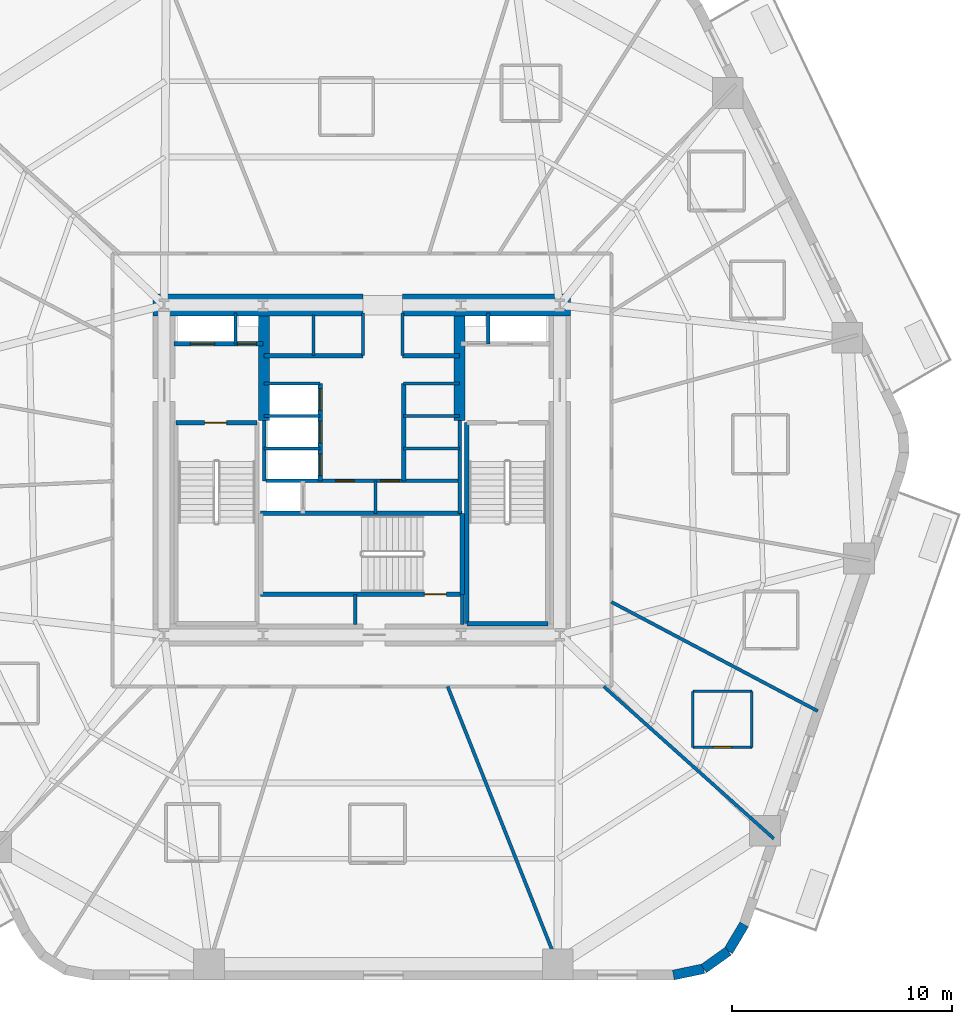
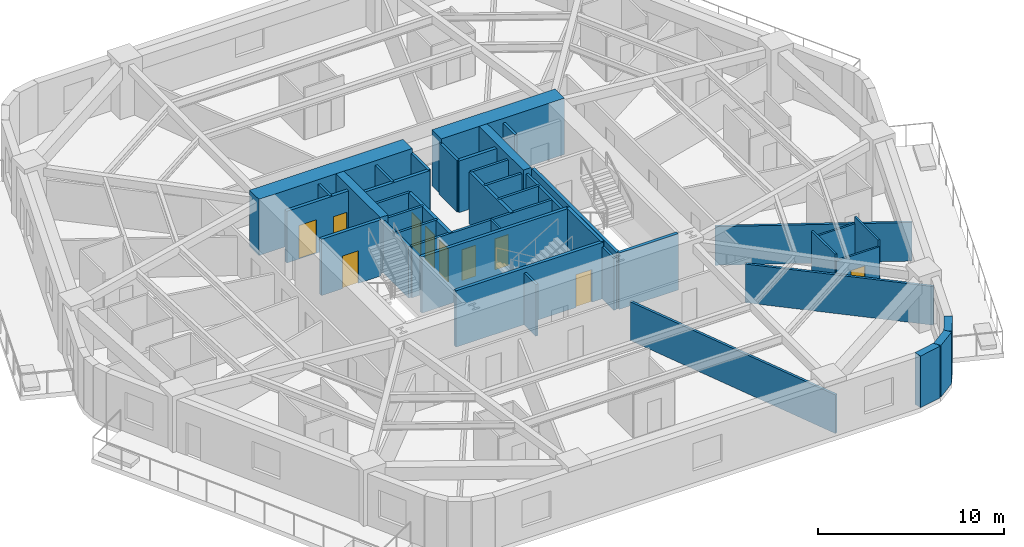
# One storey, part 4 of 10: 42 walls, 10 doors, 10 openings.
"""IFC4 building model written with IfcOpenShell, lengths in metres."""

from ifc_helpers import new_model, si_unit, direction, frame, frame_2d, origin, place, context, subcontext, project, spatial, rectangle, extrude, material, layer, layer_set, type_object, element, fill, save


model = new_model("IFC4")

# Units and contexts
model_context = context("Model", 3, precision=1e-05, world=origin(), true_north=direction((0.0, 1.0)))
body_context = subcontext(model_context, "Body", "Model", "MODEL_VIEW")
ifc_project = project(units=[si_unit("LENGTHUNIT", "METRE"), si_unit("AREAUNIT", "SQUARE_METRE"), si_unit("VOLUMEUNIT", "CUBIC_METRE"), si_unit("PLANEANGLEUNIT", "RADIAN"), si_unit("MASSUNIT", "GRAM", prefix="KILO")], contexts=[model_context])

# Site, building, storey
site_placement = place(None, origin())
site = spatial("IfcSite", under=ifc_project, at=site_placement, CompositionType="ELEMENT")
building_placement = place(site_placement, origin())
building = spatial("IfcBuilding", under=site, at=building_placement, Name="Kilnhurst Terrace Hotel", CompositionType="ELEMENT")
storey_placement = place(building_placement, frame((0.0, 0.0, 78.60009765625)))
storey = spatial("IfcBuildingStorey", under=building, at=storey_placement, Name="L18", CompositionType="ELEMENT", Elevation=78.60009765625)

# Walls
ifc_material_1 = material(Name="Precast concrete C40/50", Category="concrete")
ifc_layer_1 = layer(ifc_material_1, 0.449951171875, Name="Precast concrete C40/50")
ifc_layer_set_1 = layer_set([ifc_layer_1], Name="Precast concrete C40/50")
wall_type_1 = type_object("IfcWallType", Name="WL-BRK-450", PredefinedType="SOLIDWALL", material=ifc_layer_set_1)
wall_1_placement = place(storey_placement, frame((14.168212890625, -22.97509765625, 0.0), z_axis=(0.0, 0.0, 1.0), x_axis=(0.978770371074, 0.204959900243, 0.0)))
element("IfcWall", 1, at=wall_1_placement, inside=storey, type_object=wall_type_1, Name="L18 Rounded Corner Brick Wall C2.1", PredefinedType="SOLIDWALL", context=body_context, shape_type="SweptSolid", body=[
    extrude(rectangle(XDim=1.405517578125, YDim=0.449951171875, at=frame_2d((0.70263671875, 0.0))), origin(), (0.0, 0.0, 1.0), 3.39990234375),
])
wall_2_placement = place(storey_placement, frame((15.5439453125, -22.68701171875, 0.0), z_axis=(0.0, 0.0, 1.0), x_axis=(0.814210854316, 0.580569276412, 0.0)))
element("IfcWall", 2, at=wall_2_placement, inside=storey, type_object=wall_type_1, Name="L18 Rounded Corner Brick Wall C2.2", PredefinedType="SOLIDWALL", context=body_context, shape_type="SweptSolid", body=[
    extrude(rectangle(XDim=1.38134765625, YDim=0.449951171875, at=frame_2d((0.690673828125, 0.0))), origin(), (0.0, 0.0, 1.0), 3.39990234375),
])
wall_3_placement = place(storey_placement, frame((16.668701171875, -21.885009765625, 0.0), z_axis=(0.0, 0.0, 1.0), x_axis=(0.512936712947, 0.858426425799, 0.0)))
element("IfcWall", 3, at=wall_3_placement, inside=storey, type_object=wall_type_1, Name="L18 Rounded Corner Brick Wall C2.3", PredefinedType="SOLIDWALL", context=body_context, shape_type="SweptSolid", body=[
    extrude(rectangle(XDim=1.405517578125, YDim=0.449951171875, at=frame_2d((0.70263671875, 0.0))), origin(), (0.0, 0.0, 1.0), 3.39990234375),
])
ifc_material_2 = material(Name="Concrete C80/95", Category="concrete")
ifc_layer_2 = layer(ifc_material_2, 1.0, Name="Concrete C80/95")
ifc_layer_set_2 = layer_set([ifc_layer_2], Name="Concrete C80/95")
wall_type_2 = type_object("IfcWallType", Name="WL-CORE-1000", PredefinedType="SHEAR", material=ifc_layer_set_2)
wall_4_placement = place(storey_placement, frame((-9.5, 7.5, 0.0), z_axis=(0.0, 0.0, 1.0), x_axis=(1.0, 0.0, 0.0)))
element("IfcWall", 4, at=wall_4_placement, inside=storey, type_object=wall_type_2, Name="L18 Core North West Shear Wall", PredefinedType="SHEAR", context=body_context, shape_type="SweptSolid", body=[
    extrude(rectangle(XDim=9.550048828125, YDim=1.0, at=frame_2d((4.77490234375, 0.0))), origin(), (0.0, 0.0, 1.0), 3.699951171875),
])
wall_5_placement = place(storey_placement, frame((1.85009765625, 7.5, 0.0), z_axis=(0.0, 0.0, 1.0), x_axis=(1.0, 0.0, 0.0)))
element("IfcWall", 5, at=wall_5_placement, inside=storey, type_object=wall_type_2, Name="L18 Core North East Shear Wall", PredefinedType="SHEAR", context=body_context, shape_type="SweptSolid", body=[
    extrude(rectangle(XDim=7.64990234375, YDim=1.0, at=frame_2d((3.824951171875, 0.0))), origin(), (0.0, 0.0, 1.0), 3.699951171875),
])
ifc_material_3 = material(Name="Concrete C60/75", Category="concrete")
ifc_layer_3 = layer(ifc_material_3, 0.5, Name="Concrete C60/75")
ifc_layer_set_3 = layer_set([ifc_layer_3], Name="Concrete C60/75")
wall_type_3 = type_object("IfcWallType", Name="WL-CORE-WEB-500", PredefinedType="SHEAR", material=ifc_layer_set_3)
for number, where, z_axis, x_axis, name in (
    (6, (-4.449951171875, 2.25, 0.0), (0.0, 0.0, 1.0), (0.0, 1.0, 0.0), "L18 Core Internal West Shear Web"),
    (7, (4.449951171875, 2.25, 0.0), (0.0, 0.0, 1.0), (0.0, 1.0, 0.0), "L18 Core Internal East Shear Web"),
):
    element("IfcWall", number, at=place(storey_placement, frame(where, z_axis=z_axis, x_axis=x_axis)), inside=storey, type_object=wall_type_3, Name=name, PredefinedType="SHEAR", context=body_context, shape_type="SweptSolid", body=[
        extrude(rectangle(XDim=4.75, YDim=0.5, at=frame_2d((2.375, 0.0))), origin(), (0.0, 0.0, 1.0), 3.699951171875),
    ])
ifc_material_4 = material(Name="STC-58 Acoustic Twin-Frame Guestroom Demising Partition")
ifc_layer_4 = layer(ifc_material_4, 0.14990234375, Name="STC-58 Acoustic Twin-Frame Guestroom Demising Partition")
ifc_layer_set_4 = layer_set([ifc_layer_4], Name="STC-58 Acoustic Twin-Frame Guestroom Demising Partition")
wall_type_4 = type_object("IfcWallType", Name="WL-DEM-150", PredefinedType="PARTITIONING", material=ifc_layer_set_4)
wall_6_placement = place(storey_placement, frame((3.90185546875, -9.85009765625, 0.0), z_axis=(0.0, 0.0, 1.0), x_axis=(0.36828765711, -0.929711891728, 0.0)))
element("IfcWall", 8, at=wall_6_placement, inside=storey, type_object=wall_type_4, Name="L18 Interior Wall WL-L18-DEM-COL10-15-1", PredefinedType="PARTITIONING", context=body_context, shape_type="SweptSolid", body=[
    extrude(rectangle(XDim=14.1171875, YDim=0.14990234375, at=frame_2d((7.05859375, 0.0))), origin(), (0.0, 0.0, 1.0), 2.539794921875),
])
wall_7_placement = place(storey_placement, frame((11.006591796875, -9.85009765625, 0.0), z_axis=(0.0, 0.0, 1.0), x_axis=(0.745177305978, -0.666866390407, 0.0)))
element("IfcWall", 9, at=wall_7_placement, inside=storey, type_object=wall_type_4, Name="L18 Interior Wall WL-L18-DEM-COL11-16-1", PredefinedType="PARTITIONING", context=body_context, shape_type="SweptSolid", body=[
    extrude(rectangle(XDim=10.375244140625, YDim=0.14990234375, at=frame_2d((5.1875, 0.0))), origin(), (0.0, 0.0, 1.0), 2.539794921875),
])
wall_8_placement = place(storey_placement, frame((11.35009765625, -6.00146484375, 0.0), z_axis=(0.0, 0.0, 1.0), x_axis=(0.884022077319, -0.467445148453, 0.0)))
element("IfcWall", 10, at=wall_8_placement, inside=storey, type_object=wall_type_4, Name="L18 Interior Wall WL-L18-DEM-MID11-17-1", PredefinedType="PARTITIONING", context=body_context, shape_type="SweptSolid", body=[
    extrude(rectangle(XDim=10.621337890625, YDim=0.14990234375, at=frame_2d((5.310546875, 0.0))), origin(), (0.0, 0.0, 1.0), 2.539794921875),
])
ifc_material_5 = material(Name="120 mm Moisture-Resistant Tile-Backed Bathroom Partition")
ifc_layer_5 = layer(ifc_material_5, 0.1201171875, Name="120 mm Moisture-Resistant Tile-Backed Bathroom Partition")
ifc_layer_set_5 = layer_set([ifc_layer_5], Name="120 mm Moisture-Resistant Tile-Backed Bathroom Partition")
wall_type_5 = type_object("IfcWallType", Name="WL-PART-120", PredefinedType="PARTITIONING", material=ifc_layer_set_5)
wall_9_placement = place(storey_placement, frame((0.6201171875, -1.971923828125, 0.0), z_axis=(0.0, 0.0, 1.0), x_axis=(0.0, 1.0, 0.0)))
element("IfcWall", 11, at=wall_9_placement, inside=storey, type_object=wall_type_5, Name="L18 Interior Wall WL-L18-BOH-C1", PredefinedType="PARTITIONING", context=body_context, shape_type="SweptSolid", body=[
    extrude(rectangle(XDim=1.471923828125, YDim=0.1201171875, at=frame_2d((0.73583984375, 0.0))), origin(), (0.0, 0.0, 1.0), 3.39990234375),
])

# Wall, opening, door
wall_10_placement = place(storey_placement, frame((15.05810546875, -12.612060546875, 0.0), z_axis=(0.0, 0.0, 1.0), x_axis=(1.0, 0.0, 0.0)))
wall_10 = element("IfcWall", 12, at=wall_10_placement, inside=storey, type_object=wall_type_5, Name="L18 Interior Wall WL-L18-BTH-16-1", PredefinedType="PARTITIONING", context=body_context, shape_type="SweptSolid", body=[
    extrude(rectangle(XDim=2.679931640625, YDim=0.1201171875, at=frame_2d((1.33984375, 0.0))), origin(), (0.0, 0.0, 1.0), 2.97216796875),
])
opening_1_placement = place(wall_10_placement, frame((0.9150390625, 0.0, 0.0)))
opening_1 = element("IfcOpeningElement", 13, at=opening_1_placement, cuts=wall_10, Name="Opening D-08A", PredefinedType="OPENING", context=body_context, shape_type="SweptSolid", body=[
    extrude(rectangle(XDim=0.85009765625, YDim=2.030029296875, at=frame_2d((0.425048828125, 1.01513671875))), frame((0.0, 0.070068359375, 0.0), z_axis=(0.0, -1.0, 0.0), x_axis=(1.0, 0.0, 0.0)), (0.0, 0.0, 1.0), 0.14013671875),
])
ifc_material_6 = material(Name="Moisture-Resistant Lacquered En-suite Bathroom Door")
door_type_1 = type_object("IfcDoorType", Name="DR-INT-850", OperationType="NOTDEFINED", PredefinedType="DOOR", material=ifc_material_6)
door_1_placement = place(opening_1_placement, origin())
door_1 = element("IfcDoor", 14, at=door_1_placement, inside=storey, type_object=door_type_1, Name="L18 En-suite Bathroom Door 16", OperationType="SINGLE_SWING_LEFT", OverallHeight=2.030029296875, OverallWidth=0.85009765625, PredefinedType="DOOR", context=body_context, shape_type="SweptSolid", body=[
    extrude(rectangle(XDim=0.85009765625, YDim=2.030029296875, at=frame_2d((0.425048828125, 1.01513671875))), frame((0.0, 0.02490234375, 0.0), z_axis=(0.0, -1.0, 0.0), x_axis=(1.0, 0.0, 0.0)), (0.0, 0.0, 1.0), 0.050048828125),
])
fill(opening_1, door_1)

# Walls
wall_11_placement = place(storey_placement, frame((17.738037109375, -12.612060546875, 0.0), z_axis=(0.0, 0.0, 1.0), x_axis=(0.0, 1.0, 0.0)))
element("IfcWall", 15, at=wall_11_placement, inside=storey, type_object=wall_type_5, Name="L18 Interior Wall WL-L18-BTH-16-2", PredefinedType="PARTITIONING", context=body_context, shape_type="SweptSolid", body=[
    extrude(rectangle(XDim=2.5400390625, YDim=0.1201171875, at=frame_2d((1.27001953125, 0.0))), origin(), (0.0, 0.0, 1.0), 3.39990234375),
])
wall_12_placement = place(storey_placement, frame((17.738037109375, -10.072021484375, 0.0), z_axis=(0.0, 0.0, 1.0), x_axis=(-1.0, 0.0, 0.0)))
element("IfcWall", 16, at=wall_12_placement, inside=storey, type_object=wall_type_5, Name="L18 Interior Wall WL-L18-BTH-16-3", PredefinedType="PARTITIONING", context=body_context, shape_type="SweptSolid", body=[
    extrude(rectangle(XDim=2.679931640625, YDim=0.1201171875, at=frame_2d((1.33984375, 0.0))), origin(), (0.0, 0.0, 1.0), 2.97216796875),
])
wall_13_placement = place(storey_placement, frame((15.05810546875, -10.072021484375, 0.0), z_axis=(0.0, 0.0, 1.0), x_axis=(0.0, -1.0, 0.0)))
element("IfcWall", 17, at=wall_13_placement, inside=storey, type_object=wall_type_5, Name="L18 Interior Wall WL-L18-BTH-16-4", PredefinedType="PARTITIONING", context=body_context, shape_type="SweptSolid", body=[
    extrude(rectangle(XDim=2.5400390625, YDim=0.1201171875, at=frame_2d((1.27001953125, 0.0))), origin(), (0.0, 0.0, 1.0), 3.39990234375),
])
ifc_material_7 = material(Name="Fire-Rated Gypsum Shaftliner Assembly")
ifc_layer_6 = layer(ifc_material_7, 0.14990234375, Name="Fire-Rated Gypsum Shaftliner Assembly")
ifc_layer_set_6 = layer_set([ifc_layer_6], Name="Fire-Rated Gypsum Shaftliner Assembly")
wall_type_6 = type_object("IfcWallType", Name="WL-SHAFT-150", PredefinedType="PARTITIONING", material=ifc_layer_set_6)
for number, where, z_axis, x_axis, name in (
    (18, (-0.300048828125, -7.02001953125, 0.0), (0.0, 0.0, 1.0), (0.0, 1.0, 0.0), "L18 Interior Wall WL-L18-ST3-PSGW"),
    (19, (4.55810546875, -7.02001953125, 0.0), (0.0, 0.0, 1.0), (0.0, 1.0, 0.0), "L18 Interior Wall WL-L18-ST3-PSGE"),
):
    element("IfcWall", number, at=place(storey_placement, frame(where, z_axis=z_axis, x_axis=x_axis)), inside=storey, type_object=wall_type_6, Name=name, PredefinedType="PARTITIONING", context=body_context, shape_type="SweptSolid", body=[
        extrude(rectangle(XDim=1.362060546875, YDim=0.14990234375, at=frame_2d((0.68115234375, 0.0))), origin(), (0.0, 0.0, 1.0), 3.39990234375),
    ])
for number, where, z_axis, x_axis, name in (
    (20, (-5.75, 5.739990234375, 0.0), (0.0, 0.0, 1.0), (0.0, 1.0, 0.0), "L18 Interior Wall WL-L18-RIS1-DIV"),
    (21, (5.75, 5.739990234375, 0.0), (0.0, 0.0, 1.0), (0.0, 1.0, 0.0), "L18 Interior Wall WL-L18-RIS2-DIV"),
):
    element("IfcWall", number, at=place(storey_placement, frame(where, z_axis=z_axis, x_axis=x_axis)), inside=storey, type_object=wall_type_6, Name=name, PredefinedType="PARTITIONING", context=body_context, shape_type="SweptSolid", body=[
        extrude(rectangle(XDim=1.409912109375, YDim=0.14990234375, at=frame_2d((0.705078125, 0.0))), origin(), (0.0, 0.0, 1.0), 3.39990234375),
    ])
wall_14_placement = place(storey_placement, frame((-2.199951171875, 5.199951171875, 0.0), z_axis=(0.0, 0.0, 1.0), x_axis=(0.0, 1.0, 0.0)))
element("IfcWall", 22, at=wall_14_placement, inside=storey, type_object=wall_type_6, Name="L18 Interior Wall WL-L18-HR-DIV1", PredefinedType="PARTITIONING", context=body_context, shape_type="SweptSolid", body=[
    extrude(rectangle(XDim=1.85009765625, YDim=0.14990234375, at=frame_2d((0.925048828125, 0.0))), origin(), (0.0, 0.0, 1.0), 3.39990234375),
])
for number, where, z_axis, x_axis, name in (
    (23, (0.050048828125, 5.199951171875, 0.0), (0.0, 0.0, 1.0), (0.0, 1.0, 0.0), "L18 Interior Wall WL-L18-HR-PORTAL-W"),
    (24, (1.85009765625, 5.199951171875, 0.0), (0.0, 0.0, 1.0), (0.0, 1.0, 0.0), "L18 Interior Wall WL-L18-HR-PORTAL-E"),
):
    element("IfcWall", number, at=place(storey_placement, frame(where, z_axis=z_axis, x_axis=x_axis)), inside=storey, type_object=wall_type_6, Name=name, PredefinedType="PARTITIONING", context=body_context, shape_type="SweptSolid", body=[
        extrude(rectangle(XDim=1.949951171875, YDim=0.14990234375, at=frame_2d((0.97509765625, 0.0))), origin(), (0.0, 0.0, 1.0), 3.39990234375),
    ])
wall_15_placement = place(storey_placement, frame((-4.449951171875, -0.5, 0.0), z_axis=(0.0, 0.0, 1.0), x_axis=(0.0, 1.0, 0.0)))
element("IfcWall", 25, at=wall_15_placement, inside=storey, type_object=wall_type_6, Name="L18 Interior Wall WL-L18-XLOB-W", PredefinedType="PARTITIONING", context=body_context, shape_type="SweptSolid", body=[
    extrude(rectangle(XDim=2.75, YDim=0.14990234375, at=frame_2d((1.375, 0.0))), origin(), (0.0, 0.0, 1.0), 3.39990234375),
])
wall_16_placement = place(storey_placement, frame((4.449951171875, -1.971923828125, 0.0), z_axis=(0.0, 0.0, 1.0), x_axis=(0.0, 1.0, 0.0)))
element("IfcWall", 26, at=wall_16_placement, inside=storey, type_object=wall_type_6, Name="L18 Interior Wall WL-L18-XLOB-E", PredefinedType="PARTITIONING", context=body_context, shape_type="SweptSolid", body=[
    extrude(rectangle(XDim=4.221923828125, YDim=0.14990234375, at=frame_2d((2.11083984375, 0.0))), origin(), (0.0, 0.0, 1.0), 3.39990234375),
])
for number, where, z_axis, x_axis, name in (
    (27, (-4.449951171875, 3.93994140625, 0.0), (0.0, 0.0, 1.0), (1.0, 0.0, 0.0), "L18 Interior Wall WL-L18-LR-NORTH"),
    (28, (-4.449951171875, 0.97998046875, 0.0), (0.0, 0.0, 1.0), (1.0, 0.0, 0.0), "L18 Interior Wall WL-L18-LR-D1"),
    (29, (-4.449951171875, 2.4599609375, 0.0), (0.0, 0.0, 1.0), (1.0, 0.0, 0.0), "L18 Interior Wall WL-L18-LR-D2"),
    (30, (1.89990234375, 3.93994140625, 0.0), (0.0, 0.0, 1.0), (1.0, 0.0, 0.0), "L18 Interior Wall WL-L18-MR-NORTH"),
    (31, (1.89990234375, 0.97998046875, 0.0), (0.0, 0.0, 1.0), (1.0, 0.0, 0.0), "L18 Interior Wall WL-L18-MR-D1"),
    (32, (1.89990234375, 2.4599609375, 0.0), (0.0, 0.0, 1.0), (1.0, 0.0, 0.0), "L18 Interior Wall WL-L18-MR-D2"),
):
    element("IfcWall", number, at=place(storey_placement, frame(where, z_axis=z_axis, x_axis=x_axis)), inside=storey, type_object=wall_type_6, Name=name, PredefinedType="PARTITIONING", context=body_context, shape_type="SweptSolid", body=[
        extrude(rectangle(XDim=2.550048828125, YDim=0.14990234375, at=frame_2d((1.27490234375, 0.0))), origin(), (0.0, 0.0, 1.0), 3.39990234375),
    ])

# Wall, openings, doors
wall_17_placement = place(storey_placement, frame((-4.360107421875, -0.489990234375, 0.0), z_axis=(0.0, 0.0, 1.0), x_axis=(1.0, 0.0, 0.0)))
wall_17 = element("IfcWall", 33, at=wall_17_placement, inside=storey, type_object=wall_type_6, Name="L18 Interior Wall WL-L18-BOH-N", PredefinedType="PARTITIONING", context=body_context, shape_type="SweptSolid", body=[
    extrude(rectangle(XDim=8.72021484375, YDim=0.14990234375, at=frame_2d((4.360107421875, 0.0))), origin(), (0.0, 0.0, 1.0), 3.39990234375),
])
opening_2_placement = place(wall_17_placement, frame((3.159912109375, 0.0, 0.0)))
opening_2 = element("IfcOpeningElement", 34, at=opening_2_placement, cuts=wall_17, Name="Opening D-60D", PredefinedType="OPENING", context=body_context, shape_type="SweptSolid", body=[
    extrude(rectangle(XDim=0.85009765625, YDim=2.030029296875, at=frame_2d((0.425048828125, 1.01513671875))), frame((0.0, 0.0849609375, 0.0), z_axis=(0.0, -1.0, 0.0), x_axis=(1.0, 0.0, 0.0)), (0.0, 0.0, 1.0), 0.169921875),
])
opening_3_placement = place(wall_17_placement, frame((5.2099609375, 0.0, 0.0)))
opening_3 = element("IfcOpeningElement", 35, at=opening_3_placement, cuts=wall_17, Name="Opening D-60D", PredefinedType="OPENING", context=body_context, shape_type="SweptSolid", body=[
    extrude(rectangle(XDim=0.85009765625, YDim=2.030029296875, at=frame_2d((0.425048828125, 1.01513671875))), frame((0.0, 0.0849609375, 0.0), z_axis=(0.0, -1.0, 0.0), x_axis=(1.0, 0.0, 0.0)), (0.0, 0.0, 1.0), 0.169921875),
])
ifc_material_8 = material(Name="Painted Hollow Metal Steel ASTM A36 Riser Door", Category="steel")
door_type_2 = type_object("IfcDoorType", Name="DR-FD60-850", OperationType="NOTDEFINED", PredefinedType="DOOR", material=ifc_material_8)
door_2_placement = place(opening_2_placement, origin())
door_2 = element("IfcDoor", 36, at=door_2_placement, inside=storey, type_object=door_type_2, Name="L18 Housekeeping Laundry Door", OperationType="SINGLE_SWING_LEFT", OverallHeight=2.030029296875, OverallWidth=0.85009765625, PredefinedType="DOOR", context=body_context, shape_type="SweptSolid", body=[
    extrude(rectangle(XDim=0.85009765625, YDim=2.030029296875, at=frame_2d((0.425048828125, 1.01513671875))), frame((0.0, 0.02490234375, 0.0), z_axis=(0.0, -1.0, 0.0), x_axis=(1.0, 0.0, 0.0)), (0.0, 0.0, 1.0), 0.050048828125),
])
fill(opening_2, door_2)
door_3_placement = place(opening_3_placement, origin())
door_3 = element("IfcDoor", 37, at=door_3_placement, inside=storey, type_object=door_type_2, Name="L18 Room Service Kitchen Door", OperationType="SINGLE_SWING_RIGHT", OverallHeight=2.030029296875, OverallWidth=0.85009765625, PredefinedType="DOOR", context=body_context, shape_type="SweptSolid", body=[
    extrude(rectangle(XDim=0.85009765625, YDim=2.030029296875, at=frame_2d((0.425048828125, 1.01513671875))), frame((0.0, 0.02490234375, 0.0), z_axis=(0.0, -1.0, 0.0), x_axis=(1.0, 0.0, 0.0)), (0.0, 0.0, 1.0), 0.050048828125),
])
fill(opening_3, door_3)

ifc_material_9 = material(Name="Autoclaved Aerated Concrete C30/37 and Gypsum Shaft Assembly", Category="concrete")
ifc_layer_7 = layer(ifc_material_9, 0.199951171875, Name="Autoclaved Aerated Concrete C30/37 and Gypsum Shaft Assembly")
ifc_layer_set_7 = layer_set([ifc_layer_7], Name="Autoclaved Aerated Concrete C30/37 and Gypsum Shaft Assembly")
wall_type_7 = type_object("IfcWallType", Name="WL-SHAFT-200", PredefinedType="PARTITIONING", material=ifc_layer_set_7)
wall_18_placement = place(storey_placement, frame((-8.550048828125, 5.739990234375, 0.0), z_axis=(0.0, 0.0, 1.0), x_axis=(1.0, 0.0, 0.0)))
wall_18 = element("IfcWall", 38, at=wall_18_placement, inside=storey, type_object=wall_type_7, Name="L18 Interior Wall WL-L18-FSAE1-S", PredefinedType="PARTITIONING", context=body_context, shape_type="SweptSolid", body=[
    extrude(rectangle(XDim=4.050048828125, YDim=0.199951171875, at=frame_2d((2.02490234375, 0.0))), origin(), (0.0, 0.0, 1.0), 3.39990234375),
])
opening_4_placement = place(wall_18_placement, frame((0.75, 0.0, 0.0)))
opening_4 = element("IfcOpeningElement", 39, at=opening_4_placement, cuts=wall_18, Name="Opening LD-F1", PredefinedType="OPENING", context=body_context, shape_type="SweptSolid", body=[
    extrude(rectangle(XDim=1.10009765625, YDim=2.199951171875, at=frame_2d((0.550048828125, 1.10009765625))), frame((0.0, 0.10986328125, 0.0), z_axis=(0.0, -1.0, 0.0), x_axis=(1.0, 0.0, 0.0)), (0.0, 0.0, 1.0), 0.219970703125),
])
opening_5_placement = place(wall_18_placement, frame((2.89990234375, 0.0, 0.0)))
opening_5 = element("IfcOpeningElement", 40, at=opening_5_placement, cuts=wall_18, Name="Opening D-60D", PredefinedType="OPENING", context=body_context, shape_type="SweptSolid", body=[
    extrude(rectangle(XDim=0.85009765625, YDim=2.030029296875, at=frame_2d((0.425048828125, 1.01513671875))), frame((0.0, 0.10986328125, 0.0), z_axis=(0.0, -1.0, 0.0), x_axis=(1.0, 0.0, 0.0)), (0.0, 0.0, 1.0), 0.219970703125),
])
door_4_placement = place(opening_5_placement, origin())
door_4 = element("IfcDoor", 41, at=door_4_placement, inside=storey, type_object=door_type_2, Name="L18 Electrical Riser Door", OperationType="SINGLE_SWING_LEFT", OverallHeight=2.030029296875, OverallWidth=0.85009765625, PredefinedType="DOOR", context=body_context, shape_type="SweptSolid", body=[
    extrude(rectangle(XDim=0.85009765625, YDim=2.030029296875, at=frame_2d((0.425048828125, 1.01513671875))), frame((0.0, 0.02490234375, 0.0), z_axis=(0.0, -1.0, 0.0), x_axis=(1.0, 0.0, 0.0)), (0.0, 0.0, 1.0), 0.050048828125),
])
fill(opening_5, door_4)
ifc_material_10 = material(Name="Bronze-Anodized Stainless Steel AISI 316L Sliding Door", Category="steel")
door_type_3 = type_object("IfcDoorType", Name="DR-LIFT-1100", OperationType="NOTDEFINED", PredefinedType="DOOR", material=ifc_material_10)
door_5_placement = place(opening_4_placement, origin())
door_5 = element("IfcDoor", 42, at=door_5_placement, inside=storey, type_object=door_type_3, Name="L18 FSAE-1 Landing Door", OperationType="SLIDING_TO_LEFT", OverallHeight=2.199951171875, OverallWidth=1.10009765625, PredefinedType="DOOR", context=body_context, shape_type="SweptSolid", body=[
    extrude(rectangle(XDim=1.10009765625, YDim=2.199951171875, at=frame_2d((0.550048828125, 1.10009765625))), frame((0.0, 0.02490234375, 0.0), z_axis=(0.0, -1.0, 0.0), x_axis=(1.0, 0.0, 0.0)), (0.0, 0.0, 1.0), 0.050048828125),
])
fill(opening_4, door_5)

# Walls
wall_19_placement = place(storey_placement, frame((-4.449951171875, 5.199951171875, 0.0), z_axis=(0.0, 0.0, 1.0), x_axis=(1.0, 0.0, 0.0)))
element("IfcWall", 43, at=wall_19_placement, inside=storey, type_object=wall_type_7, Name="L18 Interior Wall WL-L18-HR-SW", PredefinedType="PARTITIONING", context=body_context, shape_type="SweptSolid", body=[
    extrude(rectangle(XDim=4.5, YDim=0.199951171875, at=frame_2d((2.25, 0.0))), origin(), (0.0, 0.0, 1.0), 3.39990234375),
])
wall_20_placement = place(storey_placement, frame((1.85009765625, 5.199951171875, 0.0), z_axis=(0.0, 0.0, 1.0), x_axis=(1.0, 0.0, 0.0)))
element("IfcWall", 44, at=wall_20_placement, inside=storey, type_object=wall_type_7, Name="L18 Interior Wall WL-L18-HR-SE", PredefinedType="PARTITIONING", context=body_context, shape_type="SweptSolid", body=[
    extrude(rectangle(XDim=2.599853515625, YDim=0.199951171875, at=frame_2d((1.2998046875, 0.0))), origin(), (0.0, 0.0, 1.0), 3.39990234375),
])

# Wall, openings, doors
wall_21_placement = place(storey_placement, frame((-1.89990234375, -0.5, 0.0), z_axis=(0.0, 0.0, 1.0), x_axis=(0.0, 1.0, 0.0)))
wall_21 = element("IfcWall", 45, at=wall_21_placement, inside=storey, type_object=wall_type_7, Name="L18 Interior Wall WL-L18-LR-FRONT", PredefinedType="PARTITIONING", context=body_context, shape_type="SweptSolid", body=[
    extrude(rectangle(XDim=4.43994140625, YDim=0.199951171875, at=frame_2d((2.219970703125, 0.0))), origin(), (0.0, 0.0, 1.0), 3.39990234375),
])
opening_6_placement = place(wall_21_placement, frame((0.239990234375, 0.0, 0.0)))
opening_6 = element("IfcOpeningElement", 46, at=opening_6_placement, cuts=wall_21, Name="Opening LD-LR", PredefinedType="OPENING", context=body_context, shape_type="SweptSolid", body=[
    extrude(rectangle(XDim=1.0, YDim=2.199951171875, at=frame_2d((0.5, 1.10009765625))), frame((0.0, 0.10986328125, 0.0), z_axis=(0.0, -1.0, 0.0), x_axis=(1.0, 0.0, 0.0)), (0.0, 0.0, 1.0), 0.219970703125),
])
opening_7_placement = place(wall_21_placement, frame((1.719970703125, 0.0, 0.0)))
opening_7 = element("IfcOpeningElement", 47, at=opening_7_placement, cuts=wall_21, Name="Opening LD-LR", PredefinedType="OPENING", context=body_context, shape_type="SweptSolid", body=[
    extrude(rectangle(XDim=1.0, YDim=2.199951171875, at=frame_2d((0.5, 1.10009765625))), frame((0.0, 0.10986328125, 0.0), z_axis=(0.0, -1.0, 0.0), x_axis=(1.0, 0.0, 0.0)), (0.0, 0.0, 1.0), 0.219970703125),
])
opening_8_placement = place(wall_21_placement, frame((3.199951171875, 0.0, 0.0)))
opening_8 = element("IfcOpeningElement", 48, at=opening_8_placement, cuts=wall_21, Name="Opening LD-LR", PredefinedType="OPENING", context=body_context, shape_type="SweptSolid", body=[
    extrude(rectangle(XDim=1.0, YDim=2.199951171875, at=frame_2d((0.5, 1.10009765625))), frame((0.0, 0.10986328125, 0.0), z_axis=(0.0, -1.0, 0.0), x_axis=(1.0, 0.0, 0.0)), (0.0, 0.0, 1.0), 0.219970703125),
])
door_type_4 = type_object("IfcDoorType", Name="DR-LIFT-1000", OperationType="NOTDEFINED", PredefinedType="DOOR", material=ifc_material_10)
door_6_placement = place(opening_6_placement, origin())
door_6 = element("IfcDoor", 49, at=door_6_placement, inside=storey, type_object=door_type_4, Name="L18 Low Rise Lift LR-1 Landing Door", OperationType="SLIDING_TO_LEFT", OverallHeight=2.199951171875, OverallWidth=1.0, PredefinedType="DOOR", context=body_context, shape_type="SweptSolid", body=[
    extrude(rectangle(XDim=1.0, YDim=2.199951171875, at=frame_2d((0.5, 1.10009765625))), frame((0.0, 0.02490234375, 0.0), z_axis=(0.0, -1.0, 0.0), x_axis=(1.0, 0.0, 0.0)), (0.0, 0.0, 1.0), 0.050048828125),
])
fill(opening_6, door_6)
door_7_placement = place(opening_7_placement, origin())
door_7 = element("IfcDoor", 50, at=door_7_placement, inside=storey, type_object=door_type_4, Name="L18 Low Rise Lift LR-2 Landing Door", OperationType="SLIDING_TO_LEFT", OverallHeight=2.199951171875, OverallWidth=1.0, PredefinedType="DOOR", context=body_context, shape_type="SweptSolid", body=[
    extrude(rectangle(XDim=1.0, YDim=2.199951171875, at=frame_2d((0.5, 1.10009765625))), frame((0.0, 0.02490234375, 0.0), z_axis=(0.0, -1.0, 0.0), x_axis=(1.0, 0.0, 0.0)), (0.0, 0.0, 1.0), 0.050048828125),
])
fill(opening_7, door_7)
door_8_placement = place(opening_8_placement, origin())
door_8 = element("IfcDoor", 51, at=door_8_placement, inside=storey, type_object=door_type_4, Name="L18 Low Rise Lift LR-3 Landing Door", OperationType="SLIDING_TO_LEFT", OverallHeight=2.199951171875, OverallWidth=1.0, PredefinedType="DOOR", context=body_context, shape_type="SweptSolid", body=[
    extrude(rectangle(XDim=1.0, YDim=2.199951171875, at=frame_2d((0.5, 1.10009765625))), frame((0.0, 0.02490234375, 0.0), z_axis=(0.0, -1.0, 0.0), x_axis=(1.0, 0.0, 0.0)), (0.0, 0.0, 1.0), 0.050048828125),
])
fill(opening_8, door_8)

# Wall
wall_22_placement = place(storey_placement, frame((1.89990234375, -0.5, 0.0), z_axis=(0.0, 0.0, 1.0), x_axis=(0.0, 1.0, 0.0)))
element("IfcWall", 52, at=wall_22_placement, inside=storey, type_object=wall_type_7, Name="L18 Interior Wall WL-L18-MR-FRONT", PredefinedType="PARTITIONING", context=body_context, shape_type="SweptSolid", body=[
    extrude(rectangle(XDim=4.43994140625, YDim=0.199951171875, at=frame_2d((2.219970703125, 0.0))), origin(), (0.0, 0.0, 1.0), 3.39990234375),
])

# Wall, opening, door
ifc_material_11 = material(Name="Concrete C50/60", Category="concrete")
ifc_layer_8 = layer(ifc_material_11, 0.199951171875, Name="Concrete C50/60")
ifc_layer_set_8 = layer_set([ifc_layer_8], Name="Concrete C50/60")
wall_type_8 = type_object("IfcWallType", Name="WL-STAIR-RC-200", PredefinedType="SHEAR", material=ifc_layer_set_8)
wall_23_placement = place(storey_placement, frame((-8.4580078125, 2.157958984375, 0.0), z_axis=(0.0, 0.0, 1.0), x_axis=(1.0, 0.0, 0.0)))
wall_23 = element("IfcWall", 53, at=wall_23_placement, inside=storey, type_object=wall_type_8, Name="L18 Structural Stair Shaft Wall WL-L18-ST1-N", PredefinedType="SHEAR", context=body_context, shape_type="SweptSolid", body=[
    extrude(rectangle(XDim=3.68603515625, YDim=0.199951171875, at=frame_2d((1.843017578125, 0.0))), origin(), (0.0, 0.0, 1.0), 3.699951171875),
])
opening_9_placement = place(wall_23_placement, frame((1.300048828125, 0.0, 0.0)))
opening_9 = element("IfcOpeningElement", 54, at=opening_9_placement, cuts=wall_23, Name="Opening D-90B", PredefinedType="OPENING", context=body_context, shape_type="SweptSolid", body=[
    extrude(rectangle(XDim=1.0, YDim=2.14990234375, at=frame_2d((0.5, 1.074951171875))), frame((0.0, 0.10986328125, 0.0), z_axis=(0.0, -1.0, 0.0), x_axis=(1.0, 0.0, 0.0)), (0.0, 0.0, 1.0), 0.219970703125),
])
ifc_material_12 = material(Name="Painted Hollow Metal Steel ASTM A36 Fire Door", Category="steel")
door_type_5 = type_object("IfcDoorType", Name="DR-FD90-1000", OperationType="NOTDEFINED", PredefinedType="DOOR", material=ifc_material_12)
door_9_placement = place(opening_9_placement, origin())
door_9 = element("IfcDoor", 55, at=door_9_placement, inside=storey, type_object=door_type_5, Name="L18 Stair ST-1 Door", OperationType="SINGLE_SWING_LEFT", OverallHeight=2.14990234375, OverallWidth=1.0, PredefinedType="DOOR", context=body_context, shape_type="SweptSolid", body=[
    extrude(rectangle(XDim=1.0, YDim=2.14990234375, at=frame_2d((0.5, 1.074951171875))), frame((0.0, 0.02490234375, 0.0), z_axis=(0.0, -1.0, 0.0), x_axis=(1.0, 0.0, 0.0)), (0.0, 0.0, 1.0), 0.050048828125),
])
fill(opening_9, door_9)

# Walls
wall_24_placement = place(storey_placement, frame((4.77197265625, -6.985107421875, 0.0), z_axis=(0.0, 0.0, 1.0), x_axis=(0.0, 1.0, 0.0)))
element("IfcWall", 56, at=wall_24_placement, inside=storey, type_object=wall_type_8, Name="L18 Structural Stair Shaft Wall WL-L18-ST2-W", PredefinedType="SHEAR", context=body_context, shape_type="SweptSolid", body=[
    extrude(rectangle(XDim=9.14306640625, YDim=0.199951171875, at=frame_2d((4.571533203125, 0.0))), origin(), (0.0, 0.0, 1.0), 3.699951171875),
])
wall_25_placement = place(storey_placement, frame((4.77197265625, -6.985107421875, 0.0), z_axis=(0.0, 0.0, 1.0), x_axis=(1.0, 0.0, 0.0)))
element("IfcWall", 57, at=wall_25_placement, inside=storey, type_object=wall_type_8, Name="L18 Structural Stair Shaft Wall WL-L18-ST2-S", PredefinedType="SHEAR", context=body_context, shape_type="SweptSolid", body=[
    extrude(rectangle(XDim=3.68603515625, YDim=0.199951171875, at=frame_2d((1.843017578125, 0.0))), origin(), (0.0, 0.0, 1.0), 3.699951171875),
])

# Wall, opening, door
wall_26_placement = place(storey_placement, frame((-4.60791015625, -5.657958984375, 0.0), z_axis=(0.0, 0.0, 1.0), x_axis=(1.0, 0.0, 0.0)))
wall_26 = element("IfcWall", 58, at=wall_26_placement, inside=storey, type_object=wall_type_8, Name="L18 Structural Stair Shaft Wall WL-L18-ST3-S", PredefinedType="SHEAR", context=body_context, shape_type="SweptSolid", body=[
    extrude(rectangle(XDim=9.166015625, YDim=0.199951171875, at=frame_2d((4.5830078125, 0.0))), origin(), (0.0, 0.0, 1.0), 3.699951171875),
])
opening_10_placement = place(wall_26_placement, frame((7.449951171875, 0.0, 0.0)))
opening_10 = element("IfcOpeningElement", 59, at=opening_10_placement, cuts=wall_26, Name="Opening D-90B", PredefinedType="OPENING", context=body_context, shape_type="SweptSolid", body=[
    extrude(rectangle(XDim=1.0, YDim=2.14990234375, at=frame_2d((0.5, 1.074951171875))), frame((0.0, 0.10986328125, 0.0), z_axis=(0.0, -1.0, 0.0), x_axis=(1.0, 0.0, 0.0)), (0.0, 0.0, 1.0), 0.219970703125),
])
door_10_placement = place(opening_10_placement, origin())
door_10 = element("IfcDoor", 60, at=door_10_placement, inside=storey, type_object=door_type_5, Name="L18 Stair ST-3 Shaft Door", OperationType="SINGLE_SWING_LEFT", OverallHeight=2.14990234375, OverallWidth=1.0, PredefinedType="DOOR", context=body_context, shape_type="SweptSolid", body=[
    extrude(rectangle(XDim=1.0, YDim=2.14990234375, at=frame_2d((0.5, 1.074951171875))), frame((0.0, 0.02490234375, 0.0), z_axis=(0.0, -1.0, 0.0), x_axis=(1.0, 0.0, 0.0)), (0.0, 0.0, 1.0), 0.050048828125),
])
fill(opening_10, door_10)

# Walls
wall_27_placement = place(storey_placement, frame((-4.60791015625, -1.971923828125, 0.0), z_axis=(0.0, 0.0, 1.0), x_axis=(1.0, 0.0, 0.0)))
element("IfcWall", 61, at=wall_27_placement, inside=storey, type_object=wall_type_8, Name="L18 Structural Stair Shaft Wall WL-L18-ST3-N", PredefinedType="SHEAR", context=body_context, shape_type="SweptSolid", body=[
    extrude(rectangle(XDim=9.166015625, YDim=0.199951171875, at=frame_2d((4.5830078125, 0.0))), origin(), (0.0, 0.0, 1.0), 3.699951171875),
])
wall_28_placement = place(storey_placement, frame((4.55810546875, -5.657958984375, 0.0), z_axis=(0.0, 0.0, 1.0), x_axis=(0.0, 1.0, 0.0)))
element("IfcWall", 62, at=wall_28_placement, inside=storey, type_object=wall_type_8, Name="L18 Structural Stair Shaft Wall WL-L18-ST3-E", PredefinedType="SHEAR", context=body_context, shape_type="SweptSolid", body=[
    extrude(rectangle(XDim=3.68603515625, YDim=0.199951171875, at=frame_2d((1.843017578125, 0.0))), origin(), (0.0, 0.0, 1.0), 3.699951171875),
])

save(model, "model.ifc")
